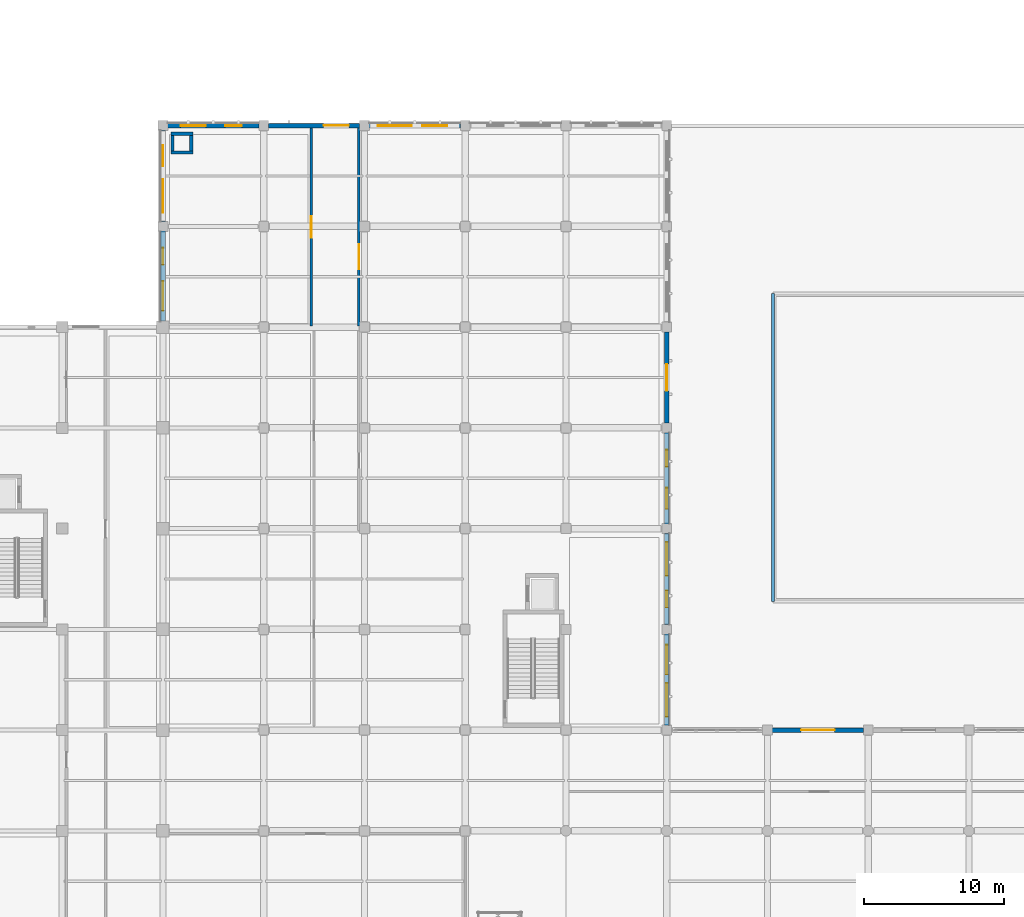
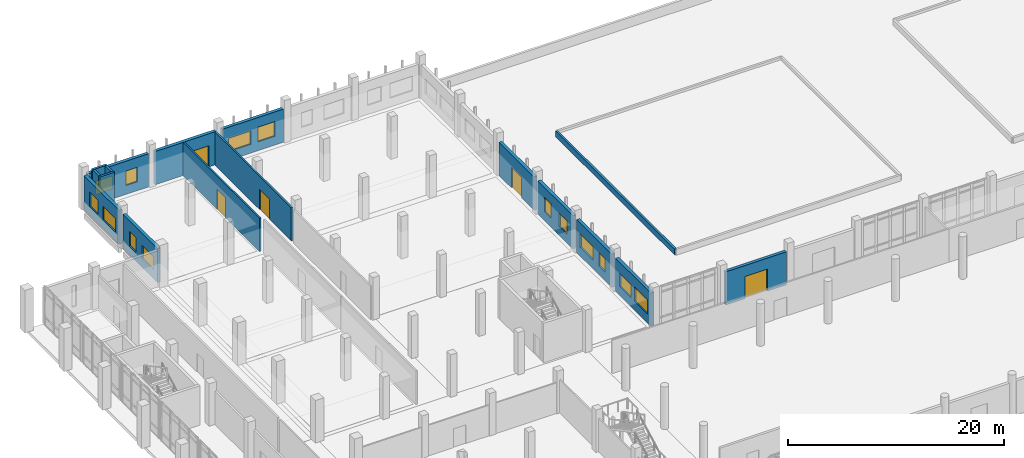
# One storey, part 38 of 59: 17 walls, 14 windows, 5 doors, 19 openings.
"""IFC4 building model written with IfcOpenShell, lengths in metres."""

from ifc_helpers import new_model, si_unit, direction, frame, frame_2d, origin, place, context, subcontext, project, spatial, rectangle, extrude, material, layer, layer_set, type_object, element, fill, save


model = new_model("IFC4")

# Units and contexts
model_context = context("Model", 3, precision=1e-05, world=origin(), true_north=direction((0.0, 1.0)))
body_context = subcontext(model_context, "Body", "Model", "MODEL_VIEW")
ifc_project = project(units=[si_unit("LENGTHUNIT", "METRE"), si_unit("AREAUNIT", "SQUARE_METRE"), si_unit("VOLUMEUNIT", "CUBIC_METRE"), si_unit("PLANEANGLEUNIT", "RADIAN"), si_unit("MASSUNIT", "GRAM", prefix="KILO")], contexts=[model_context])

# Site, building, storey
site_placement = place(None, origin())
site = spatial("IfcSite", under=ifc_project, at=site_placement, CompositionType="ELEMENT")
building_placement = place(site_placement, origin())
building = spatial("IfcBuilding", under=site, at=building_placement, Name="Valkovuoma Quantum and Materials Research Institute", CompositionType="ELEMENT")
storey_placement = place(building_placement, origin())
storey = spatial("IfcBuildingStorey", under=building, at=storey_placement, Name="L00", CompositionType="ELEMENT", Elevation=0.0)

# Wall, opening, door
ifc_material_1 = material(Name="Precast concrete C40/50", Category="concrete")
ifc_layer_1 = layer(ifc_material_1, 0.320068359375)
ifc_layer_set_1 = layer_set([ifc_layer_1], Name="Precast concrete C40/50")
wall_type_1 = type_object("IfcWallType", Name="Wall-W-EXT320", PredefinedType="SOLIDWALL", material=ifc_layer_set_1)
wall_1_placement = place(storey_placement, frame((57.93994140625, 64.800048828125, 0.0), z_axis=(0.0, 0.0, 1.0), x_axis=(1.0, 0.0, 0.0)))
wall_1 = element("IfcWall", 1, at=wall_1_placement, inside=storey, type_object=wall_type_1, Name="L00 exterior wall 0078", PredefinedType="SOLIDWALL", context=body_context, shape_type="SweptSolid", body=[
    extrude(rectangle(XDim=6.52001953125, YDim=0.320068359375, at=frame_2d((3.260009765625, 0.0))), origin(), (0.0, 0.0, 1.0), 3.75),
])
opening_1_placement = place(wall_1_placement, frame((2.06005859375, 0.0, 0.0)))
opening_1 = element("IfcOpeningElement", 2, at=opening_1_placement, cuts=wall_1, Name="Opening ED-013", PredefinedType="OPENING", context=body_context, shape_type="SweptSolid", body=[
    extrude(rectangle(XDim=2.39990234375, YDim=2.5, at=frame_2d((1.199951171875, 1.25))), frame((0.0, 0.169921875, 0.0), z_axis=(0.0, -1.0, 0.0), x_axis=(1.0, 0.0, 0.0)), (0.0, 0.0, 1.0), 0.340087890625),
])
ifc_material_2 = material(Name="Thermally broken insulated aluminium and steel door", Category="steel")
door_type_1 = type_object("IfcDoorType", Name="Door-DR-EX05", OperationType="NOTDEFINED", PredefinedType="DOOR", material=ifc_material_2)
door_1_placement = place(opening_1_placement, origin())
door_1 = element("IfcDoor", 3, at=door_1_placement, inside=storey, type_object=door_type_1, Name="L00 exterior door 013", OperationType="DOUBLE_DOOR_SINGLE_SWING", OverallHeight=2.5, OverallWidth=2.39990234375, PredefinedType="DOOR", context=body_context, shape_type="SweptSolid", body=[
    extrude(rectangle(XDim=2.39990234375, YDim=2.5, at=frame_2d((1.199951171875, 1.25))), frame((0.0, 0.02490234375, 0.0), z_axis=(0.0, -1.0, 0.0), x_axis=(1.0, 0.0, 0.0)), (0.0, 0.0, 1.0), 0.050048828125),
])
fill(opening_1, door_1)

# Wall, openings, windows
ifc_material_3 = material(Name="Precast concrete C40/50", Category="concrete")
ifc_layer_2 = layer(ifc_material_3, 0.340087890625)
ifc_layer_set_2 = layer_set([ifc_layer_2], Name="Precast concrete C40/50")
wall_type_2 = type_object("IfcWallType", Name="Wall-W-EXT340", PredefinedType="SOLIDWALL", material=ifc_layer_set_2)
wall_2_placement = place(storey_placement, frame((14.739990234375, 108.0, 0.0), z_axis=(0.0, 0.0, 1.0), x_axis=(1.0, 0.0, 0.0)))
wall_2 = element("IfcWall", 4, at=wall_2_placement, inside=storey, type_object=wall_type_2, Name="L00 exterior wall 0115", PredefinedType="SOLIDWALL", context=body_context, shape_type="SweptSolid", body=[
    extrude(rectangle(XDim=6.52001953125, YDim=0.340087890625, at=frame_2d((3.260009765625, 0.0))), origin(), (0.0, 0.0, 1.0), 3.75),
])
opening_2_placement = place(wall_2_placement, frame((0.925537109375, 0.0, 1.0)))
opening_2 = element("IfcOpeningElement", 5, at=opening_2_placement, cuts=wall_2, Name="Opening WN-CL03", PredefinedType="OPENING", context=body_context, shape_type="SweptSolid", body=[
    extrude(rectangle(XDim=1.800048828125, YDim=1.5, at=frame_2d((0.89990234375, 0.75))), frame((0.0, 0.18017578125, 0.0), z_axis=(0.0, -1.0, 0.0), x_axis=(1.0, 0.0, 0.0)), (0.0, 0.0, 1.0), 0.360107421875),
])
opening_3_placement = place(wall_2_placement, frame((4.094482421875, 0.0, 1.0)))
opening_3 = element("IfcOpeningElement", 6, at=opening_3_placement, cuts=wall_2, Name="Opening WN-CL06", PredefinedType="OPENING", context=body_context, shape_type="SweptSolid", body=[
    extrude(rectangle(XDim=1.199951171875, YDim=1.64990234375, at=frame_2d((0.60009765625, 0.824951171875))), frame((0.0, 0.18017578125, 0.0), z_axis=(0.0, -1.0, 0.0), x_axis=(1.0, 0.0, 0.0)), (0.0, 0.0, 1.0), 0.360107421875),
])
ifc_material_4 = material(Name="Triple low-E argon glazing in thermally broken aluminium frame", Category="aluminium")
window_type_1 = type_object("IfcWindowType", Name="Win-WN-CL03", PartitioningType="SINGLE_PANEL", PredefinedType="WINDOW", material=ifc_material_4)
window_1_placement = place(opening_2_placement, origin())
window_1 = element("IfcWindow", 7, at=window_1_placement, inside=storey, type_object=window_type_1, Name="L00 window 0104", OverallHeight=1.5, OverallWidth=1.800048828125, PartitioningType="SINGLE_PANEL", PredefinedType="WINDOW", context=body_context, shape_type="SweptSolid", body=[
    extrude(rectangle(XDim=1.800048828125, YDim=1.5, at=frame_2d((0.89990234375, 0.75))), frame((0.0, 0.030029296875, 0.0), z_axis=(0.0, -1.0, 0.0), x_axis=(1.0, 0.0, 0.0)), (0.0, 0.0, 1.0), 0.06005859375),
])
fill(opening_2, window_1)
ifc_material_5 = material(Name="Triple low-E argon glazing in thermally broken aluminium frame", Category="aluminium")
window_type_2 = type_object("IfcWindowType", Name="Win-WN-CL06", PartitioningType="SINGLE_PANEL", PredefinedType="WINDOW", material=ifc_material_5)
window_2_placement = place(opening_3_placement, origin())
window_2 = element("IfcWindow", 8, at=window_2_placement, inside=storey, type_object=window_type_2, Name="L00 window 0105", OverallHeight=1.64990234375, OverallWidth=1.199951171875, PartitioningType="SINGLE_PANEL", PredefinedType="WINDOW", context=body_context, shape_type="SweptSolid", body=[
    extrude(rectangle(XDim=1.199951171875, YDim=1.64990234375, at=frame_2d((0.60009765625, 0.824951171875))), frame((0.0, 0.030029296875, 0.0), z_axis=(0.0, -1.0, 0.0), x_axis=(1.0, 0.0, 0.0)), (0.0, 0.0, 1.0), 0.06005859375),
])
fill(opening_3, window_2)

# Wall, opening, door
wall_3_placement = place(storey_placement, frame((21.93994140625, 108.0, 0.0), z_axis=(0.0, 0.0, 1.0), x_axis=(1.0, 0.0, 0.0)))
wall_3 = element("IfcWall", 9, at=wall_3_placement, inside=storey, type_object=wall_type_2, Name="L00 exterior wall 0116", PredefinedType="SOLIDWALL", context=body_context, shape_type="SweptSolid", body=[
    extrude(rectangle(XDim=6.52001953125, YDim=0.340087890625, at=frame_2d((3.260009765625, 0.0))), origin(), (0.0, 0.0, 1.0), 3.75),
])
opening_4_placement = place(wall_3_placement, frame((3.949951171875, 0.0, 0.0)))
opening_4 = element("IfcOpeningElement", 10, at=opening_4_placement, cuts=wall_3, Name="Opening ED-021", PredefinedType="OPENING", context=body_context, shape_type="SweptSolid", body=[
    extrude(rectangle(XDim=1.800048828125, YDim=2.39990234375, at=frame_2d((0.89990234375, 1.199951171875))), frame((0.0, 0.18017578125, 0.0), z_axis=(0.0, -1.0, 0.0), x_axis=(1.0, 0.0, 0.0)), (0.0, 0.0, 1.0), 0.360107421875),
])
ifc_material_6 = material(Name="Thermally broken insulated aluminium and steel door", Category="steel")
door_type_2 = type_object("IfcDoorType", Name="Door-DR-EX02", OperationType="NOTDEFINED", PredefinedType="DOOR", material=ifc_material_6)
door_2_placement = place(opening_4_placement, origin())
door_2 = element("IfcDoor", 11, at=door_2_placement, inside=storey, type_object=door_type_2, Name="L00 exterior door 021", OperationType="DOUBLE_DOOR_SINGLE_SWING", OverallHeight=2.39990234375, OverallWidth=1.800048828125, PredefinedType="DOOR", context=body_context, shape_type="SweptSolid", body=[
    extrude(rectangle(XDim=1.800048828125, YDim=2.39990234375, at=frame_2d((0.89990234375, 1.199951171875))), frame((0.0, 0.02490234375, 0.0), z_axis=(0.0, -1.0, 0.0), x_axis=(1.0, 0.0, 0.0)), (0.0, 0.0, 1.0), 0.050048828125),
])
fill(opening_4, door_2)

# Wall, openings, windows
wall_4_placement = place(storey_placement, frame((29.139892578125, 108.0, 0.0), z_axis=(0.0, 0.0, 1.0), x_axis=(1.0, 0.0, 0.0)))
wall_4 = element("IfcWall", 12, at=wall_4_placement, inside=storey, type_object=wall_type_2, Name="L00 exterior wall 0117", PredefinedType="SOLIDWALL", context=body_context, shape_type="SweptSolid", body=[
    extrude(rectangle(XDim=6.52001953125, YDim=0.340087890625, at=frame_2d((3.260009765625, 0.0))), origin(), (0.0, 0.0, 1.0), 3.75),
])
opening_5_placement = place(wall_4_placement, frame((0.62548828125, 0.0, 1.0)))
opening_5 = element("IfcOpeningElement", 13, at=opening_5_placement, cuts=wall_4, Name="Opening WN-CL05", PredefinedType="OPENING", context=body_context, shape_type="SweptSolid", body=[
    extrude(rectangle(XDim=2.39990234375, YDim=1.5, at=frame_2d((1.199951171875, 0.75))), frame((0.0, 0.18017578125, 0.0), z_axis=(0.0, -1.0, 0.0), x_axis=(1.0, 0.0, 0.0)), (0.0, 0.0, 1.0), 0.360107421875),
])
opening_6_placement = place(wall_4_placement, frame((3.79443359375, 0.0, 1.0)))
opening_6 = element("IfcOpeningElement", 14, at=opening_6_placement, cuts=wall_4, Name="Opening WN-CL08", PredefinedType="OPENING", context=body_context, shape_type="SweptSolid", body=[
    extrude(rectangle(XDim=1.800048828125, YDim=1.64990234375, at=frame_2d((0.89990234375, 0.824951171875))), frame((0.0, 0.18017578125, 0.0), z_axis=(0.0, -1.0, 0.0), x_axis=(1.0, 0.0, 0.0)), (0.0, 0.0, 1.0), 0.360107421875),
])
ifc_material_7 = material(Name="Triple low-E argon glazing in thermally broken aluminium frame", Category="aluminium")
window_type_3 = type_object("IfcWindowType", Name="Win-WN-CL05", PartitioningType="SINGLE_PANEL", PredefinedType="WINDOW", material=ifc_material_7)
window_3_placement = place(opening_5_placement, origin())
window_3 = element("IfcWindow", 15, at=window_3_placement, inside=storey, type_object=window_type_3, Name="L00 window 0106", OverallHeight=1.5, OverallWidth=2.39990234375, PartitioningType="SINGLE_PANEL", PredefinedType="WINDOW", context=body_context, shape_type="SweptSolid", body=[
    extrude(rectangle(XDim=2.39990234375, YDim=1.5, at=frame_2d((1.199951171875, 0.75))), frame((0.0, 0.030029296875, 0.0), z_axis=(0.0, -1.0, 0.0), x_axis=(1.0, 0.0, 0.0)), (0.0, 0.0, 1.0), 0.06005859375),
])
fill(opening_5, window_3)
ifc_material_8 = material(Name="Triple low-E argon glazing in thermally broken aluminium frame", Category="aluminium")
window_type_4 = type_object("IfcWindowType", Name="Win-WN-CL08", PartitioningType="SINGLE_PANEL", PredefinedType="WINDOW", material=ifc_material_8)
window_4_placement = place(opening_6_placement, origin())
window_4 = element("IfcWindow", 16, at=window_4_placement, inside=storey, type_object=window_type_4, Name="L00 window 0107", OverallHeight=1.64990234375, OverallWidth=1.800048828125, PartitioningType="SINGLE_PANEL", PredefinedType="WINDOW", context=body_context, shape_type="SweptSolid", body=[
    extrude(rectangle(XDim=1.800048828125, YDim=1.64990234375, at=frame_2d((0.89990234375, 0.824951171875))), frame((0.0, 0.030029296875, 0.0), z_axis=(0.0, -1.0, 0.0), x_axis=(1.0, 0.0, 0.0)), (0.0, 0.0, 1.0), 0.06005859375),
])
fill(opening_6, window_4)

wall_5_placement = place(storey_placement, frame((50.39990234375, 65.139892578125, 0.0), z_axis=(0.0, 0.0, 1.0), x_axis=(0.0, 1.0, 0.0)))
wall_5 = element("IfcWall", 17, at=wall_5_placement, inside=storey, type_object=wall_type_2, Name="L00 exterior wall 0120", PredefinedType="SOLIDWALL", context=body_context, shape_type="SweptSolid", body=[
    extrude(rectangle(XDim=6.52001953125, YDim=0.340087890625, at=frame_2d((3.260009765625, 0.0))), origin(), (0.0, 0.0, 1.0), 3.75),
])
opening_7_placement = place(wall_5_placement, frame((0.62548828125, 0.0, 1.0)))
opening_7 = element("IfcOpeningElement", 18, at=opening_7_placement, cuts=wall_5, Name="Opening WN-CL10", PredefinedType="OPENING", context=body_context, shape_type="SweptSolid", body=[
    extrude(rectangle(XDim=2.39990234375, YDim=1.64990234375, at=frame_2d((1.199951171875, 0.824951171875))), frame((0.0, 0.18017578125, 0.0), z_axis=(0.0, -1.0, 0.0), x_axis=(1.0, 0.0, 0.0)), (0.0, 0.0, 1.0), 0.360107421875),
])
opening_8_placement = place(wall_5_placement, frame((3.644287109375, 0.0, 1.0)))
opening_8 = element("IfcOpeningElement", 19, at=opening_8_placement, cuts=wall_5, Name="Opening WN-CL04", PredefinedType="OPENING", context=body_context, shape_type="SweptSolid", body=[
    extrude(rectangle(XDim=2.10009765625, YDim=1.5, at=frame_2d((1.050048828125, 0.75))), frame((0.0, 0.18017578125, 0.0), z_axis=(0.0, -1.0, 0.0), x_axis=(1.0, 0.0, 0.0)), (0.0, 0.0, 1.0), 0.360107421875),
])
ifc_material_9 = material(Name="Triple low-E argon glazing in thermally broken aluminium frame", Category="aluminium")
window_type_5 = type_object("IfcWindowType", Name="Win-WN-CL04", PartitioningType="SINGLE_PANEL", PredefinedType="WINDOW", material=ifc_material_9)
window_5_placement = place(opening_8_placement, origin())
window_5 = element("IfcWindow", 20, at=window_5_placement, inside=storey, type_object=window_type_5, Name="L00 window 0113", OverallHeight=1.5, OverallWidth=2.10009765625, PartitioningType="SINGLE_PANEL", PredefinedType="WINDOW", context=body_context, shape_type="SweptSolid", body=[
    extrude(rectangle(XDim=2.10009765625, YDim=1.5, at=frame_2d((1.050048828125, 0.75))), frame((0.0, 0.030029296875, 0.0), z_axis=(0.0, -1.0, 0.0), x_axis=(1.0, 0.0, 0.0)), (0.0, 0.0, 1.0), 0.06005859375),
])
fill(opening_8, window_5)
ifc_material_10 = material(Name="Triple low-E argon glazing in thermally broken aluminium frame", Category="aluminium")
window_type_6 = type_object("IfcWindowType", Name="Win-WN-CL10", PartitioningType="SINGLE_PANEL", PredefinedType="WINDOW", material=ifc_material_10)
window_6_placement = place(opening_7_placement, origin())
window_6 = element("IfcWindow", 21, at=window_6_placement, inside=storey, type_object=window_type_6, Name="L00 window 0112", OverallHeight=1.64990234375, OverallWidth=2.39990234375, PartitioningType="SINGLE_PANEL", PredefinedType="WINDOW", context=body_context, shape_type="SweptSolid", body=[
    extrude(rectangle(XDim=2.39990234375, YDim=1.64990234375, at=frame_2d((1.199951171875, 0.824951171875))), frame((0.0, 0.030029296875, 0.0), z_axis=(0.0, -1.0, 0.0), x_axis=(1.0, 0.0, 0.0)), (0.0, 0.0, 1.0), 0.06005859375),
])
fill(opening_7, window_6)

wall_6_placement = place(storey_placement, frame((50.39990234375, 72.340087890625, 0.0), z_axis=(0.0, 0.0, 1.0), x_axis=(0.0, 1.0, 0.0)))
wall_6 = element("IfcWall", 22, at=wall_6_placement, inside=storey, type_object=wall_type_2, Name="L00 exterior wall 0121", PredefinedType="SOLIDWALL", context=body_context, shape_type="SweptSolid", body=[
    extrude(rectangle(XDim=6.52001953125, YDim=0.340087890625, at=frame_2d((3.260009765625, 0.0))), origin(), (0.0, 0.0, 1.0), 3.75),
])
opening_9_placement = place(wall_6_placement, frame((1.2255859375, 0.0, 1.0)))
opening_9 = element("IfcOpeningElement", 23, at=opening_9_placement, cuts=wall_6, Name="Opening WN-CL01", PredefinedType="OPENING", context=body_context, shape_type="SweptSolid", body=[
    extrude(rectangle(XDim=1.199951171875, YDim=1.5, at=frame_2d((0.60009765625, 0.75))), frame((0.0, 0.18017578125, 0.0), z_axis=(0.0, -1.0, 0.0), x_axis=(1.0, 0.0, 0.0)), (0.0, 0.0, 1.0), 0.360107421875),
])
opening_10_placement = place(wall_6_placement, frame((3.494384765625, 0.0, 1.0)))
opening_10 = element("IfcOpeningElement", 24, at=opening_10_placement, cuts=wall_6, Name="Opening WN-CL05", PredefinedType="OPENING", context=body_context, shape_type="SweptSolid", body=[
    extrude(rectangle(XDim=2.39990234375, YDim=1.5, at=frame_2d((1.199951171875, 0.75))), frame((0.0, 0.18017578125, 0.0), z_axis=(0.0, -1.0, 0.0), x_axis=(1.0, 0.0, 0.0)), (0.0, 0.0, 1.0), 0.360107421875),
])
ifc_material_11 = material(Name="Triple low-E argon glazing in thermally broken aluminium frame", Category="aluminium")
window_type_7 = type_object("IfcWindowType", Name="Win-WN-CL01", PartitioningType="SINGLE_PANEL", PredefinedType="WINDOW", material=ifc_material_11)
window_7_placement = place(opening_9_placement, origin())
window_7 = element("IfcWindow", 25, at=window_7_placement, inside=storey, type_object=window_type_7, Name="L00 window 0114", OverallHeight=1.5, OverallWidth=1.199951171875, PartitioningType="SINGLE_PANEL", PredefinedType="WINDOW", context=body_context, shape_type="SweptSolid", body=[
    extrude(rectangle(XDim=1.199951171875, YDim=1.5, at=frame_2d((0.60009765625, 0.75))), frame((0.0, 0.030029296875, 0.0), z_axis=(0.0, -1.0, 0.0), x_axis=(1.0, 0.0, 0.0)), (0.0, 0.0, 1.0), 0.06005859375),
])
fill(opening_9, window_7)
window_8_placement = place(opening_10_placement, origin())
window_8 = element("IfcWindow", 26, at=window_8_placement, inside=storey, type_object=window_type_3, Name="L00 window 0115", OverallHeight=1.5, OverallWidth=2.39990234375, PartitioningType="SINGLE_PANEL", PredefinedType="WINDOW", context=body_context, shape_type="SweptSolid", body=[
    extrude(rectangle(XDim=2.39990234375, YDim=1.5, at=frame_2d((1.199951171875, 0.75))), frame((0.0, 0.030029296875, 0.0), z_axis=(0.0, -1.0, 0.0), x_axis=(1.0, 0.0, 0.0)), (0.0, 0.0, 1.0), 0.06005859375),
])
fill(opening_10, window_8)

wall_7_placement = place(storey_placement, frame((50.39990234375, 79.5400390625, 0.0), z_axis=(0.0, 0.0, 1.0), x_axis=(0.0, 1.0, 0.0)))
wall_7 = element("IfcWall", 27, at=wall_7_placement, inside=storey, type_object=wall_type_2, Name="L00 exterior wall 0122", PredefinedType="SOLIDWALL", context=body_context, shape_type="SweptSolid", body=[
    extrude(rectangle(XDim=6.52001953125, YDim=0.340087890625, at=frame_2d((3.260009765625, 0.0))), origin(), (0.0, 0.0, 1.0), 3.75),
])
opening_11_placement = place(wall_7_placement, frame((1.07568359375, 0.0, 1.0)))
opening_11 = element("IfcOpeningElement", 28, at=opening_11_placement, cuts=wall_7, Name="Opening WN-CL02", PredefinedType="OPENING", context=body_context, shape_type="SweptSolid", body=[
    extrude(rectangle(XDim=1.5, YDim=1.5, at=frame_2d((0.75, 0.75))), frame((0.0, 0.18017578125, 0.0), z_axis=(0.0, -1.0, 0.0), x_axis=(1.0, 0.0, 0.0)), (0.0, 0.0, 1.0), 0.360107421875),
])
opening_12_placement = place(wall_7_placement, frame((4.094482421875, 0.0, 1.0)))
opening_12 = element("IfcOpeningElement", 29, at=opening_12_placement, cuts=wall_7, Name="Opening WN-CL06", PredefinedType="OPENING", context=body_context, shape_type="SweptSolid", body=[
    extrude(rectangle(XDim=1.199951171875, YDim=1.64990234375, at=frame_2d((0.60009765625, 0.824951171875))), frame((0.0, 0.18017578125, 0.0), z_axis=(0.0, -1.0, 0.0), x_axis=(1.0, 0.0, 0.0)), (0.0, 0.0, 1.0), 0.360107421875),
])
ifc_material_12 = material(Name="Triple low-E argon glazing in thermally broken aluminium frame", Category="aluminium")
window_type_8 = type_object("IfcWindowType", Name="Win-WN-CL02", PartitioningType="SINGLE_PANEL", PredefinedType="WINDOW", material=ifc_material_12)
window_9_placement = place(opening_11_placement, origin())
window_9 = element("IfcWindow", 30, at=window_9_placement, inside=storey, type_object=window_type_8, Name="L00 window 0116", OverallHeight=1.5, OverallWidth=1.5, PartitioningType="SINGLE_PANEL", PredefinedType="WINDOW", context=body_context, shape_type="SweptSolid", body=[
    extrude(rectangle(XDim=1.5, YDim=1.5, at=frame_2d((0.75, 0.75))), frame((0.0, 0.030029296875, 0.0), z_axis=(0.0, -1.0, 0.0), x_axis=(1.0, 0.0, 0.0)), (0.0, 0.0, 1.0), 0.06005859375),
])
fill(opening_11, window_9)
window_10_placement = place(opening_12_placement, origin())
window_10 = element("IfcWindow", 31, at=window_10_placement, inside=storey, type_object=window_type_2, Name="L00 window 0117", OverallHeight=1.64990234375, OverallWidth=1.199951171875, PartitioningType="SINGLE_PANEL", PredefinedType="WINDOW", context=body_context, shape_type="SweptSolid", body=[
    extrude(rectangle(XDim=1.199951171875, YDim=1.64990234375, at=frame_2d((0.60009765625, 0.824951171875))), frame((0.0, 0.030029296875, 0.0), z_axis=(0.0, -1.0, 0.0), x_axis=(1.0, 0.0, 0.0)), (0.0, 0.0, 1.0), 0.06005859375),
])
fill(opening_12, window_10)

# Wall, opening, door
wall_8_placement = place(storey_placement, frame((50.39990234375, 86.739990234375, 0.0), z_axis=(0.0, 0.0, 1.0), x_axis=(0.0, 1.0, 0.0)))
wall_8 = element("IfcWall", 32, at=wall_8_placement, inside=storey, type_object=wall_type_2, Name="L00 exterior wall 0123", PredefinedType="SOLIDWALL", context=body_context, shape_type="SweptSolid", body=[
    extrude(rectangle(XDim=6.52001953125, YDim=0.340087890625, at=frame_2d((3.260009765625, 0.0))), origin(), (0.0, 0.0, 1.0), 3.75),
])
opening_13_placement = place(wall_8_placement, frame((2.31005859375, 0.0, 0.0)))
opening_13 = element("IfcOpeningElement", 33, at=opening_13_placement, cuts=wall_8, Name="Opening ED-022", PredefinedType="OPENING", context=body_context, shape_type="SweptSolid", body=[
    extrude(rectangle(XDim=1.89990234375, YDim=2.35009765625, at=frame_2d((0.949951171875, 1.175048828125))), frame((0.0, 0.18017578125, 0.0), z_axis=(0.0, -1.0, 0.0), x_axis=(1.0, 0.0, 0.0)), (0.0, 0.0, 1.0), 0.360107421875),
])
ifc_material_13 = material(Name="Thermally broken insulated aluminium and steel door", Category="steel")
door_type_3 = type_object("IfcDoorType", Name="Door-DR-EX06", OperationType="NOTDEFINED", PredefinedType="DOOR", material=ifc_material_13)
door_3_placement = place(opening_13_placement, frame((1.89990234375, 0.0, 0.0), z_axis=(0.0, 0.0, 1.0), x_axis=(-1.0, 0.0, 0.0)))
door_3 = element("IfcDoor", 34, at=door_3_placement, inside=storey, type_object=door_type_3, Name="L00 exterior door 022", OperationType="DOUBLE_DOOR_SINGLE_SWING", OverallHeight=2.35009765625, OverallWidth=1.89990234375, PredefinedType="DOOR", context=body_context, shape_type="SweptSolid", body=[
    extrude(rectangle(XDim=1.89990234375, YDim=2.35009765625, at=frame_2d((0.949951171875, 1.175048828125))), frame((0.0, 0.02490234375, 0.0), z_axis=(0.0, -1.0, 0.0), x_axis=(1.0, 0.0, 0.0)), (0.0, 0.0, 1.0), 0.050048828125),
])
fill(opening_13, door_3)

# Wall, openings, windows
wall_9_placement = place(storey_placement, frame((14.39990234375, 94.0400390625, 0.0), z_axis=(0.0, 0.0, 1.0), x_axis=(0.0, 1.0, 0.0)))
wall_9 = element("IfcWall", 35, at=wall_9_placement, inside=storey, type_object=wall_type_2, Name="L00 exterior wall 0126", PredefinedType="SOLIDWALL", context=body_context, shape_type="SweptSolid", body=[
    extrude(rectangle(XDim=6.419921875, YDim=0.340087890625, at=frame_2d((3.2099609375, 0.0))), origin(), (0.0, 0.0, 1.0), 3.85009765625),
])
opening_14_placement = place(wall_9_placement, frame((0.74755859375, 0.0, 1.0)))
opening_14 = element("IfcOpeningElement", 36, at=opening_14_placement, cuts=wall_9, Name="Opening WN-CL04", PredefinedType="OPENING", context=body_context, shape_type="SweptSolid", body=[
    extrude(rectangle(XDim=2.10009765625, YDim=1.5, at=frame_2d((1.050048828125, 0.75))), frame((0.0, 0.18017578125, 0.0), z_axis=(0.0, -1.0, 0.0), x_axis=(1.0, 0.0, 0.0)), (0.0, 0.0, 1.0), 0.360107421875),
])
opening_15_placement = place(wall_9_placement, frame((4.0224609375, 0.0, 1.0)))
opening_15 = element("IfcOpeningElement", 37, at=opening_15_placement, cuts=wall_9, Name="Opening WN-CL06", PredefinedType="OPENING", context=body_context, shape_type="SweptSolid", body=[
    extrude(rectangle(XDim=1.199951171875, YDim=1.64990234375, at=frame_2d((0.60009765625, 0.824951171875))), frame((0.0, 0.18017578125, 0.0), z_axis=(0.0, -1.0, 0.0), x_axis=(1.0, 0.0, 0.0)), (0.0, 0.0, 1.0), 0.360107421875),
])
window_11_placement = place(opening_14_placement, origin())
window_11 = element("IfcWindow", 38, at=window_11_placement, inside=storey, type_object=window_type_5, Name="L00 window 0122", OverallHeight=1.5, OverallWidth=2.10009765625, PartitioningType="SINGLE_PANEL", PredefinedType="WINDOW", context=body_context, shape_type="SweptSolid", body=[
    extrude(rectangle(XDim=2.10009765625, YDim=1.5, at=frame_2d((1.050048828125, 0.75))), frame((0.0, 0.030029296875, 0.0), z_axis=(0.0, -1.0, 0.0), x_axis=(1.0, 0.0, 0.0)), (0.0, 0.0, 1.0), 0.06005859375),
])
fill(opening_14, window_11)
window_12_placement = place(opening_15_placement, origin())
window_12 = element("IfcWindow", 39, at=window_12_placement, inside=storey, type_object=window_type_2, Name="L00 window 0123", OverallHeight=1.64990234375, OverallWidth=1.199951171875, PartitioningType="SINGLE_PANEL", PredefinedType="WINDOW", context=body_context, shape_type="SweptSolid", body=[
    extrude(rectangle(XDim=1.199951171875, YDim=1.64990234375, at=frame_2d((0.60009765625, 0.824951171875))), frame((0.0, 0.030029296875, 0.0), z_axis=(0.0, -1.0, 0.0), x_axis=(1.0, 0.0, 0.0)), (0.0, 0.0, 1.0), 0.06005859375),
])
fill(opening_15, window_12)

wall_10_placement = place(storey_placement, frame((14.39990234375, 101.139892578125, 0.0), z_axis=(0.0, 0.0, 1.0), x_axis=(0.0, 1.0, 0.0)))
wall_10 = element("IfcWall", 40, at=wall_10_placement, inside=storey, type_object=wall_type_2, Name="L00 exterior wall 0127", PredefinedType="SOLIDWALL", context=body_context, shape_type="SweptSolid", body=[
    extrude(rectangle(XDim=6.52001953125, YDim=0.340087890625, at=frame_2d((3.260009765625, 0.0))), origin(), (0.0, 0.0, 1.0), 3.85009765625),
])
opening_16_placement = place(wall_10_placement, frame((0.62548828125, 0.0, 1.0)))
opening_16 = element("IfcOpeningElement", 41, at=opening_16_placement, cuts=wall_10, Name="Opening WN-CL05", PredefinedType="OPENING", context=body_context, shape_type="SweptSolid", body=[
    extrude(rectangle(XDim=2.39990234375, YDim=1.5, at=frame_2d((1.199951171875, 0.75))), frame((0.0, 0.18017578125, 0.0), z_axis=(0.0, -1.0, 0.0), x_axis=(1.0, 0.0, 0.0)), (0.0, 0.0, 1.0), 0.360107421875),
])
opening_17_placement = place(wall_10_placement, frame((3.9443359375, 0.0, 1.0)))
opening_17 = element("IfcOpeningElement", 42, at=opening_17_placement, cuts=wall_10, Name="Opening WN-CL07", PredefinedType="OPENING", context=body_context, shape_type="SweptSolid", body=[
    extrude(rectangle(XDim=1.5, YDim=1.64990234375, at=frame_2d((0.75, 0.824951171875))), frame((0.0, 0.18017578125, 0.0), z_axis=(0.0, -1.0, 0.0), x_axis=(1.0, 0.0, 0.0)), (0.0, 0.0, 1.0), 0.360107421875),
])
window_13_placement = place(opening_16_placement, origin())
window_13 = element("IfcWindow", 43, at=window_13_placement, inside=storey, type_object=window_type_3, Name="L00 window 0124", OverallHeight=1.5, OverallWidth=2.39990234375, PartitioningType="SINGLE_PANEL", PredefinedType="WINDOW", context=body_context, shape_type="SweptSolid", body=[
    extrude(rectangle(XDim=2.39990234375, YDim=1.5, at=frame_2d((1.199951171875, 0.75))), frame((0.0, 0.030029296875, 0.0), z_axis=(0.0, -1.0, 0.0), x_axis=(1.0, 0.0, 0.0)), (0.0, 0.0, 1.0), 0.06005859375),
])
fill(opening_16, window_13)
ifc_material_14 = material(Name="Triple low-E argon glazing in thermally broken aluminium frame", Category="aluminium")
window_type_9 = type_object("IfcWindowType", Name="Win-WN-CL07", PartitioningType="SINGLE_PANEL", PredefinedType="WINDOW", material=ifc_material_14)
window_14_placement = place(opening_17_placement, origin())
window_14 = element("IfcWindow", 44, at=window_14_placement, inside=storey, type_object=window_type_9, Name="L00 window 0125", OverallHeight=1.64990234375, OverallWidth=1.5, PartitioningType="SINGLE_PANEL", PredefinedType="WINDOW", context=body_context, shape_type="SweptSolid", body=[
    extrude(rectangle(XDim=1.5, YDim=1.64990234375, at=frame_2d((0.75, 0.824951171875))), frame((0.0, 0.030029296875, 0.0), z_axis=(0.0, -1.0, 0.0), x_axis=(1.0, 0.0, 0.0)), (0.0, 0.0, 1.0), 0.06005859375),
])
fill(opening_17, window_14)

# Wall
ifc_material_15 = material(Name="Precast concrete C40/50", Category="concrete")
ifc_layer_3 = layer(ifc_material_15, 0.219970703125)
ifc_layer_set_3 = layer_set([ifc_layer_3], Name="Precast concrete C40/50")
wall_type_3 = type_object("IfcWallType", Name="Wall-W-PAR220", PredefinedType="PARAPET", material=ifc_layer_set_3)
wall_11_placement = place(storey_placement, frame((58.0, 74.0, 0.0), z_axis=(0.0, 0.0, 1.0), x_axis=(0.0, 1.0, 0.0)))
element("IfcWall", 45, at=wall_11_placement, inside=storey, type_object=wall_type_3, Name="L00 exterior wall 0442", PredefinedType="PARAPET", context=body_context, shape_type="SweptSolid", body=[
    extrude(rectangle(XDim=22.0, YDim=0.219970703125, at=frame_2d((11.0, 0.0))), origin(), (0.0, 0.0, 1.0), 0.64990234375),
])

# Wall, opening, door
ifc_material_16 = material(Name="Cleanroom insulated metal-faced partition", Category="masonry")
ifc_layer_4 = layer(ifc_material_16, 0.159912109375)
ifc_layer_set_4 = layer_set([ifc_layer_4], Name="Cleanroom insulated metal-faced partition")
wall_type_4 = type_object("IfcWallType", Name="Wall-W-PRT160", PredefinedType="PARTITIONING", material=ifc_layer_set_4)
wall_12_placement = place(storey_placement, frame((25.0, 93.679931640625, 0.0), z_axis=(0.0, 0.0, 1.0), x_axis=(0.0, 1.0, 0.0)))
wall_12 = element("IfcWall", 46, at=wall_12_placement, inside=storey, type_object=wall_type_4, Name="L00 partition 0044", PredefinedType="PARTITIONING", context=body_context, shape_type="SweptSolid", body=[
    extrude(rectangle(XDim=14.150146484375, YDim=0.159912109375, at=frame_2d((7.0751953125, 0.0))), origin(), (0.0, 0.0, 1.0), 3.75),
])
opening_18_placement = place(wall_12_placement, frame((6.300048828125, 0.0, 0.0)))
opening_18 = element("IfcOpeningElement", 47, at=opening_18_placement, cuts=wall_12, Name="Opening ID-0032", PredefinedType="OPENING", context=body_context, shape_type="SweptSolid", body=[
    extrude(rectangle(XDim=1.550048828125, YDim=2.25, at=frame_2d((0.77490234375, 1.125))), frame((0.0, 0.08984375, 0.0), z_axis=(0.0, -1.0, 0.0), x_axis=(1.0, 0.0, 0.0)), (0.0, 0.0, 1.0), 0.179931640625),
])
ifc_material_17 = material(Name="Powder-coated steel and acoustic timber door assembly", Category="steel")
door_type_4 = type_object("IfcDoorType", Name="Door-DR-CL04", OperationType="NOTDEFINED", PredefinedType="DOOR", material=ifc_material_17)
door_4_placement = place(opening_18_placement, origin())
door_4 = element("IfcDoor", 48, at=door_4_placement, inside=storey, type_object=door_type_4, Name="L00 room door 0032", OperationType="DOUBLE_DOOR_SINGLE_SWING", OverallHeight=2.25, OverallWidth=1.550048828125, PredefinedType="DOOR", context=body_context, shape_type="SweptSolid", body=[
    extrude(rectangle(XDim=1.550048828125, YDim=2.25, at=frame_2d((0.77490234375, 1.125))), frame((0.0, 0.02490234375, 0.0), z_axis=(0.0, -1.0, 0.0), x_axis=(1.0, 0.0, 0.0)), (0.0, 0.0, 1.0), 0.050048828125),
])
fill(opening_18, door_4)

ifc_material_18 = material(Name="Laboratory fire-rated gypsum partition", Category="masonry")
ifc_layer_5 = layer(ifc_material_18, 0.179931640625)
ifc_layer_set_5 = layer_set([ifc_layer_5], Name="Laboratory fire-rated gypsum partition")
wall_type_5 = type_object("IfcWallType", Name="Wall-W-PRT180", PredefinedType="PARTITIONING", material=ifc_layer_set_5)
wall_13_placement = place(storey_placement, frame((28.39990234375, 93.68994140625, 0.0), z_axis=(0.0, 0.0, 1.0), x_axis=(0.0, 1.0, 0.0)))
wall_13 = element("IfcWall", 49, at=wall_13_placement, inside=storey, type_object=wall_type_5, Name="L00 partition 0046", PredefinedType="PARTITIONING", context=body_context, shape_type="SweptSolid", body=[
    extrude(rectangle(XDim=14.14013671875, YDim=0.179931640625, at=frame_2d((7.070068359375, 0.0))), origin(), (0.0, 0.0, 1.0), 3.75),
])
opening_19_placement = place(wall_13_placement, frame((4.05908203125, 0.0, 0.0)))
opening_19 = element("IfcOpeningElement", 50, at=opening_19_placement, cuts=wall_13, Name="Opening ID-0034", PredefinedType="OPENING", context=body_context, shape_type="SweptSolid", body=[
    extrude(rectangle(XDim=1.780029296875, YDim=2.260009765625, at=frame_2d((0.89013671875, 1.1298828125))), frame((0.0, 0.10009765625, 0.0), z_axis=(0.0, -1.0, 0.0), x_axis=(1.0, 0.0, 0.0)), (0.0, 0.0, 1.0), 0.199951171875),
])
ifc_material_19 = material(Name="Powder-coated steel and acoustic timber door assembly", Category="steel")
door_type_5 = type_object("IfcDoorType", Name="Door-DR-RM18", OperationType="NOTDEFINED", PredefinedType="DOOR", material=ifc_material_19)
door_5_placement = place(opening_19_placement, origin())
door_5 = element("IfcDoor", 51, at=door_5_placement, inside=storey, type_object=door_type_5, Name="L00 room door 0034", OperationType="DOUBLE_DOOR_SINGLE_SWING", OverallHeight=2.260009765625, OverallWidth=1.780029296875, PredefinedType="DOOR", context=body_context, shape_type="SweptSolid", body=[
    extrude(rectangle(XDim=1.780029296875, YDim=2.260009765625, at=frame_2d((0.89013671875, 1.1298828125))), frame((0.0, 0.02490234375, 0.0), z_axis=(0.0, -1.0, 0.0), x_axis=(1.0, 0.0, 0.0)), (0.0, 0.0, 1.0), 0.050048828125),
])
fill(opening_19, door_5)

# Walls
ifc_material_20 = material(Name="Concrete C40/50", Category="concrete")
ifc_layer_6 = layer(ifc_material_20, 0.239990234375)
ifc_layer_set_6 = layer_set([ifc_layer_6], Name="Concrete C40/50")
wall_type_6 = type_object("IfcWallType", Name="Wall-W-SHF240", PredefinedType="SOLIDWALL", material=ifc_layer_set_6)
for number, where, z_axis, x_axis, name in (
    (52, (14.9599609375, 106.080078125, 0.0), (0.0, 0.0, 1.0), (1.0, 0.0, 0.0), "L00 core wall 0305"),
    (53, (14.9599609375, 107.419921875, 0.0), (0.0, 0.0, 1.0), (1.0, 0.0, 0.0), "L00 core wall 0306"),
):
    element("IfcWall", number, at=place(storey_placement, frame(where, z_axis=z_axis, x_axis=x_axis)), inside=storey, type_object=wall_type_6, Name=name, PredefinedType="SOLIDWALL", context=body_context, shape_type="SweptSolid", body=[
        extrude(rectangle(XDim=1.580078125, YDim=0.239990234375, at=frame_2d((0.7900390625, 0.0))), origin(), (0.0, 0.0, 1.0), 4.449951171875),
    ])
for number, where, z_axis, x_axis, name in (
    (54, (15.080078125, 106.199951171875, 0.0), (0.0, 0.0, 1.0), (0.0, 1.0, 0.0), "L00 core wall 0307"),
    (55, (16.419921875, 106.199951171875, 0.0), (0.0, 0.0, 1.0), (0.0, 1.0, 0.0), "L00 core wall 0308"),
):
    element("IfcWall", number, at=place(storey_placement, frame(where, z_axis=z_axis, x_axis=x_axis)), inside=storey, type_object=wall_type_6, Name=name, PredefinedType="SOLIDWALL", context=body_context, shape_type="SweptSolid", body=[
        extrude(rectangle(XDim=1.10009765625, YDim=0.239990234375, at=frame_2d((0.550048828125, 0.0))), origin(), (0.0, 0.0, 1.0), 4.449951171875),
    ])

save(model, "model.ifc")
